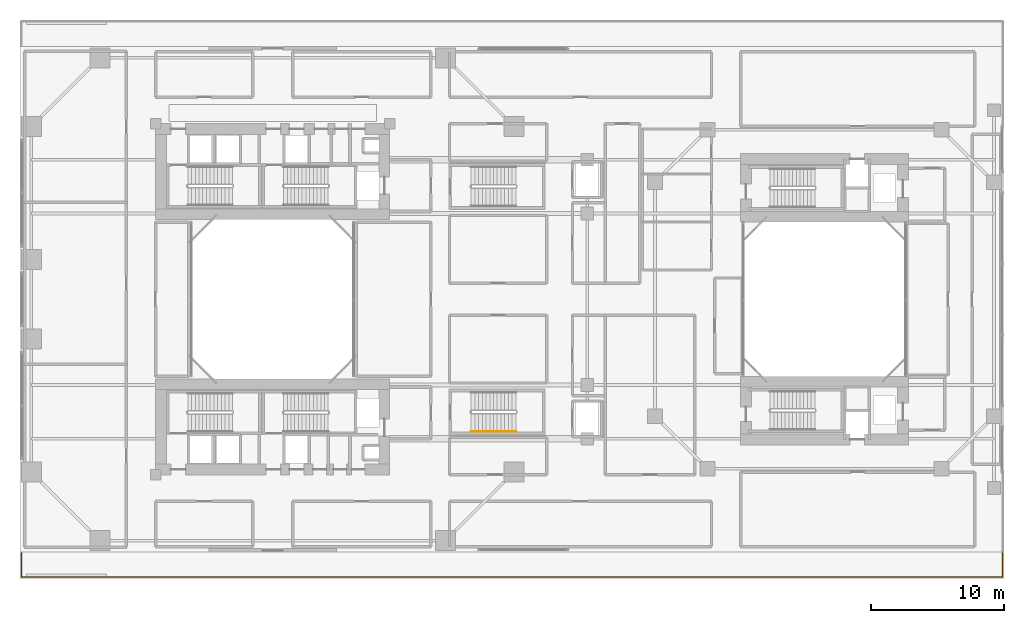
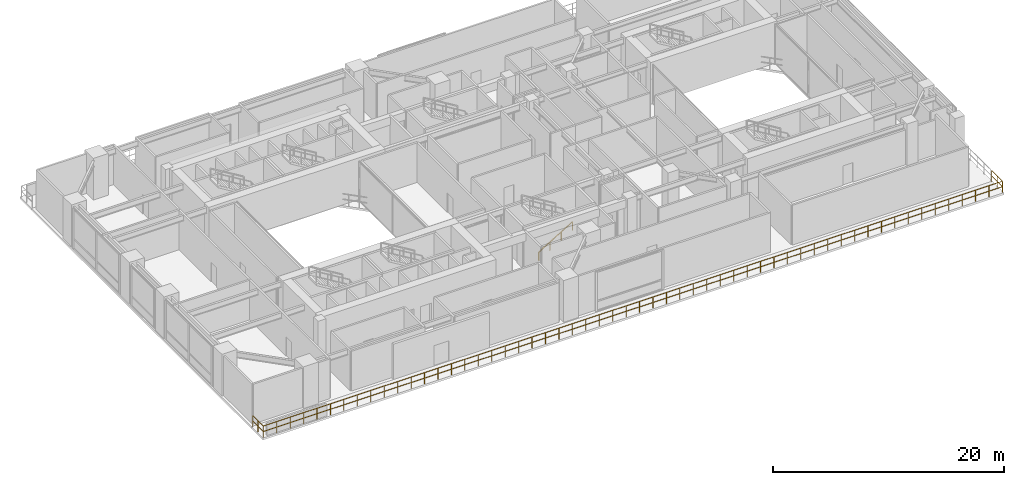
# One storey, part 17 of 19: 2 railings.
"""IFC4 building model written with IfcOpenShell, lengths in metres."""

from ifc_helpers import new_model, si_unit, direction, frame, origin, origin_2d, place, context, subcontext, project, spatial, rectangle, extrude, material, type_object, element, save


model = new_model("IFC4")

# Units and contexts
model_context = context("Model", 3, precision=1e-05, world=origin(), true_north=direction((0.0, 1.0)))
body_context = subcontext(model_context, "Body", "Model", "MODEL_VIEW")
ifc_project = project(units=[si_unit("LENGTHUNIT", "METRE"), si_unit("AREAUNIT", "SQUARE_METRE"), si_unit("VOLUMEUNIT", "CUBIC_METRE"), si_unit("PLANEANGLEUNIT", "RADIAN"), si_unit("MASSUNIT", "GRAM", prefix="KILO"), si_unit("THERMODYNAMICTEMPERATUREUNIT", "KELVIN"), si_unit("POWERUNIT", "WATT")], contexts=[model_context])

# Site, building, storey
site_placement = place(None, origin())
site = spatial("IfcSite", under=ifc_project, at=site_placement, CompositionType="ELEMENT")
building_placement = place(site_placement, origin())
building = spatial("IfcBuilding", under=site, at=building_placement, Name="Qiaomeng Ring Towers", CompositionType="ELEMENT")
storey_placement = place(building_placement, frame((0.0, 0.0, 9.39990234375)))
storey = spatial("IfcBuildingStorey", under=building, at=storey_placement, Name="L02", CompositionType="ELEMENT", Elevation=9.39990234375)

# Railings
ifc_material_1 = material(Name="Low-E pale-green laminated safety glass", Category="glass")
railing_type_1 = type_object("IfcRailingType", Name="ARC-RL-BAL1", PredefinedType="BALUSTRADE", material=ifc_material_1)
railing_1_placement = place(storey_placement, frame((0.10009765625, 3.919921875, 0.0)))
element("IfcRailing", 1, at=railing_1_placement, inside=storey, type_object=railing_type_1, Name="L02 Balustrade ARC-BAL-L02-POD-S", PredefinedType="BALUSTRADE", context=body_context, shape_type="SweptSolid", body=[
    extrude(rectangle(XDim=0.048095703125, YDim=0.048095703125, at=origin_2d()), frame((0.0, 0.0, 1.17578125), z_axis=(0.0, -1.0, 0.0), x_axis=(1.0, 0.0, 0.0)), (0.0, 0.0, 1.0), 1.81982421875),
    extrude(rectangle(XDim=0.048095703125, YDim=0.048095703125, at=origin_2d()), frame((0.0, 0.0, 0.60009765625), z_axis=(0.0, -1.0, 0.0), x_axis=(1.0, 0.0, 0.0)), (0.0, 0.0, 1.0), 1.81982421875),
    extrude(rectangle(XDim=0.048095703125, YDim=0.048095703125, at=origin_2d()), frame((0.0, -1.81982421875, 1.17578125), z_axis=(1.0, 0.0, 0.0), x_axis=(0.0, 1.0, 0.0)), (0.0, 0.0, 1.0), 73.7998046875),
    extrude(rectangle(XDim=0.048095703125, YDim=0.048095703125, at=origin_2d()), frame((0.0, -1.81982421875, 0.60009765625), z_axis=(1.0, 0.0, 0.0), x_axis=(0.0, 1.0, 0.0)), (0.0, 0.0, 1.0), 73.7998046875),
    extrude(rectangle(XDim=0.048095703125, YDim=0.048095703125, at=origin_2d()), frame((73.7998046875, -1.81982421875, 1.17578125), z_axis=(0.0, 1.0, 0.0), x_axis=(-1.0, 0.0, 0.0)), (0.0, 0.0, 1.0), 1.81982421875),
    extrude(rectangle(XDim=0.048095703125, YDim=0.048095703125, at=origin_2d()), frame((73.7998046875, -1.81982421875, 0.60009765625), z_axis=(0.0, 1.0, 0.0), x_axis=(-1.0, 0.0, 0.0)), (0.0, 0.0, 1.0), 1.81982421875),
    extrude(rectangle(XDim=0.0419921875, YDim=0.0419921875, at=origin_2d()), origin(), (0.0, 0.0, 1.0), 1.15185546875),
    extrude(rectangle(XDim=0.0419921875, YDim=0.0419921875, at=origin_2d()), frame((0.0, -0.909912109375, 0.0)), (0.0, 0.0, 1.0), 1.15185546875),
    extrude(rectangle(XDim=0.0419921875, YDim=0.0419921875, at=origin_2d()), frame((0.0, -1.81982421875, 0.0)), (0.0, 0.0, 1.0), 1.15185546875),
    extrude(rectangle(XDim=0.0419921875, YDim=0.0419921875, at=origin_2d()), frame((1.341796875, -1.81982421875, 0.0)), (0.0, 0.0, 1.0), 1.15185546875),
    extrude(rectangle(XDim=0.0419921875, YDim=0.0419921875, at=origin_2d()), frame((2.68359375, -1.81982421875, 0.0)), (0.0, 0.0, 1.0), 1.15185546875),
    extrude(rectangle(XDim=0.0419921875, YDim=0.0419921875, at=origin_2d()), frame((4.025390625, -1.81982421875, 0.0)), (0.0, 0.0, 1.0), 1.15185546875),
    extrude(rectangle(XDim=0.0419921875, YDim=0.0419921875, at=origin_2d()), frame((5.3671875, -1.81982421875, 0.0)), (0.0, 0.0, 1.0), 1.15185546875),
    extrude(rectangle(XDim=0.0419921875, YDim=0.0419921875, at=origin_2d()), frame((6.708984375, -1.81982421875, 0.0)), (0.0, 0.0, 1.0), 1.15185546875),
    extrude(rectangle(XDim=0.0419921875, YDim=0.0419921875, at=origin_2d()), frame((8.05078125, -1.81982421875, 0.0)), (0.0, 0.0, 1.0), 1.15185546875),
    extrude(rectangle(XDim=0.0419921875, YDim=0.0419921875, at=origin_2d()), frame((9.392822265625, -1.81982421875, 0.0)), (0.0, 0.0, 1.0), 1.15185546875),
    extrude(rectangle(XDim=0.0419921875, YDim=0.0419921875, at=origin_2d()), frame((10.734619140625, -1.81982421875, 0.0)), (0.0, 0.0, 1.0), 1.15185546875),
    extrude(rectangle(XDim=0.0419921875, YDim=0.0419921875, at=origin_2d()), frame((12.076416015625, -1.81982421875, 0.0)), (0.0, 0.0, 1.0), 1.15185546875),
    extrude(rectangle(XDim=0.0419921875, YDim=0.0419921875, at=origin_2d()), frame((13.418212890625, -1.81982421875, 0.0)), (0.0, 0.0, 1.0), 1.15185546875),
    extrude(rectangle(XDim=0.0419921875, YDim=0.0419921875, at=origin_2d()), frame((14.760009765625, -1.81982421875, 0.0)), (0.0, 0.0, 1.0), 1.15185546875),
    extrude(rectangle(XDim=0.0419921875, YDim=0.0419921875, at=origin_2d()), frame((16.101806640625, -1.81982421875, 0.0)), (0.0, 0.0, 1.0), 1.15185546875),
    extrude(rectangle(XDim=0.0419921875, YDim=0.0419921875, at=origin_2d()), frame((17.443603515625, -1.81982421875, 0.0)), (0.0, 0.0, 1.0), 1.15185546875),
    extrude(rectangle(XDim=0.0419921875, YDim=0.0419921875, at=origin_2d()), frame((18.785400390625, -1.81982421875, 0.0)), (0.0, 0.0, 1.0), 1.15185546875),
    extrude(rectangle(XDim=0.0419921875, YDim=0.0419921875, at=origin_2d()), frame((20.127197265625, -1.81982421875, 0.0)), (0.0, 0.0, 1.0), 1.15185546875),
    extrude(rectangle(XDim=0.0419921875, YDim=0.0419921875, at=origin_2d()), frame((21.468994140625, -1.81982421875, 0.0)), (0.0, 0.0, 1.0), 1.15185546875),
    extrude(rectangle(XDim=0.0419921875, YDim=0.0419921875, at=origin_2d()), frame((22.810791015625, -1.81982421875, 0.0)), (0.0, 0.0, 1.0), 1.15185546875),
    extrude(rectangle(XDim=0.0419921875, YDim=0.0419921875, at=origin_2d()), frame((24.152587890625, -1.81982421875, 0.0)), (0.0, 0.0, 1.0), 1.15185546875),
    extrude(rectangle(XDim=0.0419921875, YDim=0.0419921875, at=origin_2d()), frame((25.494384765625, -1.81982421875, 0.0)), (0.0, 0.0, 1.0), 1.15185546875),
    extrude(rectangle(XDim=0.0419921875, YDim=0.0419921875, at=origin_2d()), frame((26.836181640625, -1.81982421875, 0.0)), (0.0, 0.0, 1.0), 1.15185546875),
    extrude(rectangle(XDim=0.0419921875, YDim=0.0419921875, at=origin_2d()), frame((28.17822265625, -1.81982421875, 0.0)), (0.0, 0.0, 1.0), 1.15185546875),
    extrude(rectangle(XDim=0.0419921875, YDim=0.0419921875, at=origin_2d()), frame((29.52001953125, -1.81982421875, 0.0)), (0.0, 0.0, 1.0), 1.15185546875),
    extrude(rectangle(XDim=0.0419921875, YDim=0.0419921875, at=origin_2d()), frame((30.86181640625, -1.81982421875, 0.0)), (0.0, 0.0, 1.0), 1.15185546875),
    extrude(rectangle(XDim=0.0419921875, YDim=0.0419921875, at=origin_2d()), frame((32.20361328125, -1.81982421875, 0.0)), (0.0, 0.0, 1.0), 1.15185546875),
    extrude(rectangle(XDim=0.0419921875, YDim=0.0419921875, at=origin_2d()), frame((33.54541015625, -1.81982421875, 0.0)), (0.0, 0.0, 1.0), 1.15185546875),
    extrude(rectangle(XDim=0.0419921875, YDim=0.0419921875, at=origin_2d()), frame((34.88720703125, -1.81982421875, 0.0)), (0.0, 0.0, 1.0), 1.15185546875),
    extrude(rectangle(XDim=0.0419921875, YDim=0.0419921875, at=origin_2d()), frame((36.22900390625, -1.81982421875, 0.0)), (0.0, 0.0, 1.0), 1.15185546875),
    extrude(rectangle(XDim=0.0419921875, YDim=0.0419921875, at=origin_2d()), frame((37.57080078125, -1.81982421875, 0.0)), (0.0, 0.0, 1.0), 1.15185546875),
    extrude(rectangle(XDim=0.0419921875, YDim=0.0419921875, at=origin_2d()), frame((38.91259765625, -1.81982421875, 0.0)), (0.0, 0.0, 1.0), 1.15185546875),
    extrude(rectangle(XDim=0.0419921875, YDim=0.0419921875, at=origin_2d()), frame((40.25439453125, -1.81982421875, 0.0)), (0.0, 0.0, 1.0), 1.15185546875),
    extrude(rectangle(XDim=0.0419921875, YDim=0.0419921875, at=origin_2d()), frame((41.59619140625, -1.81982421875, 0.0)), (0.0, 0.0, 1.0), 1.15185546875),
    extrude(rectangle(XDim=0.0419921875, YDim=0.0419921875, at=origin_2d()), frame((42.93798828125, -1.81982421875, 0.0)), (0.0, 0.0, 1.0), 1.15185546875),
    extrude(rectangle(XDim=0.0419921875, YDim=0.0419921875, at=origin_2d()), frame((44.27978515625, -1.81982421875, 0.0)), (0.0, 0.0, 1.0), 1.15185546875),
    extrude(rectangle(XDim=0.0419921875, YDim=0.0419921875, at=origin_2d()), frame((45.62158203125, -1.81982421875, 0.0)), (0.0, 0.0, 1.0), 1.15185546875),
    extrude(rectangle(XDim=0.0419921875, YDim=0.0419921875, at=origin_2d()), frame((46.963623046875, -1.81982421875, 0.0)), (0.0, 0.0, 1.0), 1.15185546875),
    extrude(rectangle(XDim=0.0419921875, YDim=0.0419921875, at=origin_2d()), frame((48.305419921875, -1.81982421875, 0.0)), (0.0, 0.0, 1.0), 1.15185546875),
    extrude(rectangle(XDim=0.0419921875, YDim=0.0419921875, at=origin_2d()), frame((49.647216796875, -1.81982421875, 0.0)), (0.0, 0.0, 1.0), 1.15185546875),
    extrude(rectangle(XDim=0.0419921875, YDim=0.0419921875, at=origin_2d()), frame((50.989013671875, -1.81982421875, 0.0)), (0.0, 0.0, 1.0), 1.15185546875),
    extrude(rectangle(XDim=0.0419921875, YDim=0.0419921875, at=origin_2d()), frame((52.330810546875, -1.81982421875, 0.0)), (0.0, 0.0, 1.0), 1.15185546875),
    extrude(rectangle(XDim=0.0419921875, YDim=0.0419921875, at=origin_2d()), frame((53.672607421875, -1.81982421875, 0.0)), (0.0, 0.0, 1.0), 1.15185546875),
    extrude(rectangle(XDim=0.0419921875, YDim=0.0419921875, at=origin_2d()), frame((55.014404296875, -1.81982421875, 0.0)), (0.0, 0.0, 1.0), 1.15185546875),
    extrude(rectangle(XDim=0.0419921875, YDim=0.0419921875, at=origin_2d()), frame((56.356201171875, -1.81982421875, 0.0)), (0.0, 0.0, 1.0), 1.15185546875),
    extrude(rectangle(XDim=0.0419921875, YDim=0.0419921875, at=origin_2d()), frame((57.697998046875, -1.81982421875, 0.0)), (0.0, 0.0, 1.0), 1.15185546875),
    extrude(rectangle(XDim=0.0419921875, YDim=0.0419921875, at=origin_2d()), frame((59.039794921875, -1.81982421875, 0.0)), (0.0, 0.0, 1.0), 1.15185546875),
    extrude(rectangle(XDim=0.0419921875, YDim=0.0419921875, at=origin_2d()), frame((60.381591796875, -1.81982421875, 0.0)), (0.0, 0.0, 1.0), 1.15185546875),
    extrude(rectangle(XDim=0.0419921875, YDim=0.0419921875, at=origin_2d()), frame((61.723388671875, -1.81982421875, 0.0)), (0.0, 0.0, 1.0), 1.15185546875),
    extrude(rectangle(XDim=0.0419921875, YDim=0.0419921875, at=origin_2d()), frame((63.065185546875, -1.81982421875, 0.0)), (0.0, 0.0, 1.0), 1.15185546875),
    extrude(rectangle(XDim=0.0419921875, YDim=0.0419921875, at=origin_2d()), frame((64.406982421875, -1.81982421875, 0.0)), (0.0, 0.0, 1.0), 1.15185546875),
    extrude(rectangle(XDim=0.0419921875, YDim=0.0419921875, at=origin_2d()), frame((65.7490234375, -1.81982421875, 0.0)), (0.0, 0.0, 1.0), 1.15185546875),
    extrude(rectangle(XDim=0.0419921875, YDim=0.0419921875, at=origin_2d()), frame((67.0908203125, -1.81982421875, 0.0)), (0.0, 0.0, 1.0), 1.15185546875),
    extrude(rectangle(XDim=0.0419921875, YDim=0.0419921875, at=origin_2d()), frame((68.4326171875, -1.81982421875, 0.0)), (0.0, 0.0, 1.0), 1.15185546875),
    extrude(rectangle(XDim=0.0419921875, YDim=0.0419921875, at=origin_2d()), frame((69.7744140625, -1.81982421875, 0.0)), (0.0, 0.0, 1.0), 1.15185546875),
    extrude(rectangle(XDim=0.0419921875, YDim=0.0419921875, at=origin_2d()), frame((71.1162109375, -1.81982421875, 0.0)), (0.0, 0.0, 1.0), 1.15185546875),
    extrude(rectangle(XDim=0.0419921875, YDim=0.0419921875, at=origin_2d()), frame((72.4580078125, -1.81982421875, 0.0)), (0.0, 0.0, 1.0), 1.15185546875),
    extrude(rectangle(XDim=0.0419921875, YDim=0.0419921875, at=origin_2d()), frame((73.7998046875, -1.81982421875, 0.0)), (0.0, 0.0, 1.0), 1.15185546875),
    extrude(rectangle(XDim=0.0419921875, YDim=0.0419921875, at=origin_2d()), frame((73.7998046875, -0.909912109375, 0.0)), (0.0, 0.0, 1.0), 1.15185546875),
    extrude(rectangle(XDim=0.0419921875, YDim=0.0419921875, at=origin_2d()), frame((73.7998046875, 0.0, 0.0)), (0.0, 0.0, 1.0), 1.15185546875),
])
ifc_material_2 = material(Name="Stainless steel 316", Category="steel")
railing_type_2 = type_object("IfcRailingType", Name="ARC-RL-HAND", PredefinedType="HANDRAIL", material=ifc_material_2)
railing_2_placement = place(storey_placement, frame((33.929931640625, 13.050048828125, 0.16943359375)))
element("IfcRailing", 2, at=railing_2_placement, inside=storey, type_object=railing_type_2, Name="L02 ST8 stair handrail 1", PredefinedType="HANDRAIL", context=body_context, shape_type="SweptSolid", body=[
    extrude(rectangle(XDim=0.048095703125, YDim=0.048095703125, at=origin_2d()), frame((0.0, 0.0, 0.8759765625), z_axis=(0.855836976705, 0.0, 0.517245656632), x_axis=(0.0, 1.0, 0.0)), (0.0, 0.0, 1.0), 3.926025390625),
    extrude(rectangle(XDim=0.0419921875, YDim=0.0419921875, at=origin_2d()), origin(), (0.0, 0.0, 1.0), 0.851806640625),
    extrude(rectangle(XDim=0.0419921875, YDim=0.0419921875, at=origin_2d()), frame((1.1201171875, 0.0, 0.677001953125)), (0.0, 0.0, 1.0), 0.851806640625),
    extrude(rectangle(XDim=0.0419921875, YDim=0.0419921875, at=origin_2d()), frame((2.239990234375, 0.0, 1.353759765625)), (0.0, 0.0, 1.0), 0.851806640625),
    extrude(rectangle(XDim=0.0419921875, YDim=0.0419921875, at=origin_2d()), frame((3.360107421875, 0.0, 2.03076171875)), (0.0, 0.0, 1.0), 0.851806640625),
])

save(model, "model.ifc")
